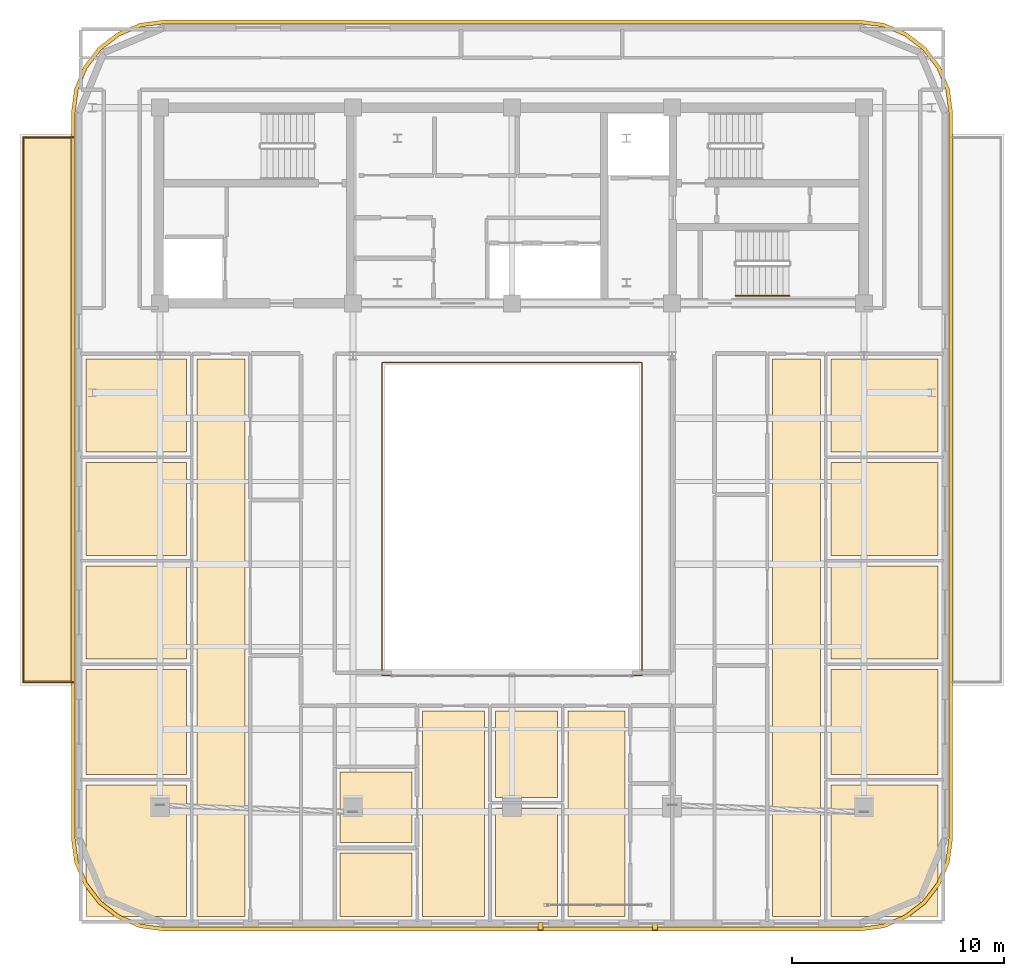
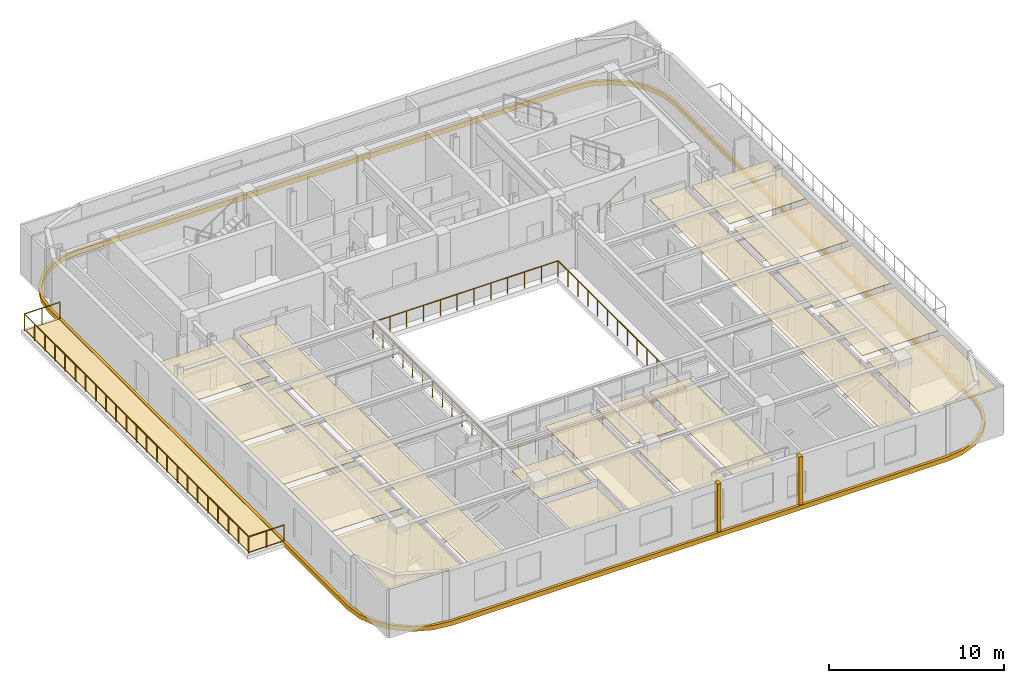
# One storey, part 12 of 14: 22 coverings, 3 railings.
"""IFC4 building model written with IfcOpenShell, lengths in metres."""

from ifc_helpers import new_model, si_unit, direction, frame, origin, origin_2d, place, context, subcontext, project, spatial, polyline, rectangle, outline, extrude, material, layer, layer_set, type_object, element, save


model = new_model("IFC4")

# Units and contexts
model_context = context("Model", 3, precision=1e-05, world=origin(), true_north=direction((0.0, 1.0)))
body_context = subcontext(model_context, "Body", "Model", "MODEL_VIEW")
ifc_project = project(units=[si_unit("LENGTHUNIT", "METRE"), si_unit("AREAUNIT", "SQUARE_METRE"), si_unit("VOLUMEUNIT", "CUBIC_METRE"), si_unit("PLANEANGLEUNIT", "RADIAN"), si_unit("MASSUNIT", "GRAM", prefix="KILO")], contexts=[model_context])

# Site, building, storey
site_placement = place(None, origin())
site = spatial("IfcSite", under=ifc_project, at=site_placement, CompositionType="ELEMENT")
building_placement = place(site_placement, origin())
building = spatial("IfcBuilding", under=site, at=building_placement, Name="Zarnavel Station Tower", CompositionType="ELEMENT")
storey_placement = place(building_placement, frame((0.0, 0.0, 243.60009765625)))
storey = spatial("IfcBuildingStorey", under=building, at=storey_placement, Name="L66", CompositionType="ELEMENT", Elevation=243.60009765625)

# Coverings
ifc_material_1 = material(Name="Perforated Gypsum and Mineral-Wool Acoustic Ceiling", Category="concrete")
ifc_layer_1 = layer(ifc_material_1, 0.0400390625)
ifc_layer_set_1 = layer_set([ifc_layer_1], Name="COV_CEIL_ACOUSTIC")
covering_type_1 = type_object("IfcCoveringType", Name="COV_CEIL_ACOUSTIC", PredefinedType="CEILING", material=ifc_layer_set_1)
covering_1_placement = place(storey_placement, frame((0.0, 0.0, 3.099853515625)))
element("IfcCovering", 1, at=covering_1_placement, inside=storey, type_object=covering_type_1, Name="L66 UW1LV Acoustic Ceiling", PredefinedType="CEILING", context=body_context, shape_type="SweptSolid", body=[
    extrude(outline(polyline([(13.947998046875, -1.090087890625), (16.2099609375, -1.090087890625), (16.2099609375, 25.199951171875), (13.947998046875, 25.199951171875), (13.947998046875, -1.090087890625)])), origin(), (0.0, 0.0, 1.0), 0.0400390625),
])
covering_2_placement = place(storey_placement, frame((0.0, 0.0, 3.099853515625)))
element("IfcCovering", 2, at=covering_2_placement, inside=storey, type_object=covering_type_1, Name="L66 UW1B1 Acoustic Ceiling", PredefinedType="CEILING", context=body_context, shape_type="SweptSolid", body=[
    extrude(outline(polyline([(8.7099609375, -1.090087890625), (13.447998046875, -1.090087890625), (13.447998046875, 5.10693359375), (8.7099609375, 5.10693359375), (8.7099609375, -1.090087890625)])), origin(), (0.0, 0.0, 1.0), 0.0400390625),
])
covering_3_placement = place(storey_placement, frame((0.0, 0.0, 3.099853515625)))
element("IfcCovering", 3, at=covering_3_placement, inside=storey, type_object=covering_type_1, Name="L66 UW1B2 Acoustic Ceiling", PredefinedType="CEILING", context=body_context, shape_type="SweptSolid", body=[
    extrude(outline(polyline([(8.7099609375, 5.60693359375), (13.447998046875, 5.60693359375), (13.447998046875, 10.555908203125), (8.7099609375, 10.555908203125), (8.7099609375, 5.60693359375)])), origin(), (0.0, 0.0, 1.0), 0.0400390625),
])
covering_4_placement = place(storey_placement, frame((0.0, 0.0, 3.099853515625)))
element("IfcCovering", 4, at=covering_4_placement, inside=storey, type_object=covering_type_1, Name="L66 UW1B3 Acoustic Ceiling", PredefinedType="CEILING", context=body_context, shape_type="SweptSolid", body=[
    extrude(outline(polyline([(8.7099609375, 11.055908203125), (13.447998046875, 11.055908203125), (13.447998046875, 15.43701171875), (8.7099609375, 15.43701171875), (8.7099609375, 11.055908203125)])), origin(), (0.0, 0.0, 1.0), 0.0400390625),
])
covering_5_placement = place(storey_placement, frame((0.0, 0.0, 3.099853515625)))
element("IfcCovering", 5, at=covering_5_placement, inside=storey, type_object=covering_type_1, Name="L66 UW1B4 Acoustic Ceiling", PredefinedType="CEILING", context=body_context, shape_type="SweptSolid", body=[
    extrude(outline(polyline([(8.7099609375, 15.93701171875), (13.447998046875, 15.93701171875), (13.447998046875, 20.318115234375), (8.7099609375, 20.318115234375), (8.7099609375, 15.93701171875)])), origin(), (0.0, 0.0, 1.0), 0.0400390625),
])
covering_6_placement = place(storey_placement, frame((0.0, 0.0, 3.099853515625)))
element("IfcCovering", 6, at=covering_6_placement, inside=storey, type_object=covering_type_1, Name="L66 UW1B5 Acoustic Ceiling", PredefinedType="CEILING", context=body_context, shape_type="SweptSolid", body=[
    extrude(outline(polyline([(8.7099609375, 20.818115234375), (13.447998046875, 20.818115234375), (13.447998046875, 25.199951171875), (8.7099609375, 25.199951171875), (8.7099609375, 20.818115234375)])), origin(), (0.0, 0.0, 1.0), 0.0400390625),
])
covering_7_placement = place(storey_placement, frame((0.0, 0.0, 3.099853515625)))
element("IfcCovering", 7, at=covering_7_placement, inside=storey, type_object=covering_type_1, Name="L66 US1ALV Acoustic Ceiling", PredefinedType="CEILING", context=body_context, shape_type="SweptSolid", body=[
    extrude(outline(polyline([(24.575927734375, -1.090087890625), (27.513916015625, -1.090087890625), (27.513916015625, 8.60009765625), (24.575927734375, 8.60009765625), (24.575927734375, -1.090087890625)])), origin(), (0.0, 0.0, 1.0), 0.0400390625),
])
covering_8_placement = place(storey_placement, frame((0.0, 0.0, 3.099853515625)))
element("IfcCovering", 8, at=covering_8_placement, inside=storey, type_object=covering_type_1, Name="L66 US1AB1 Acoustic Ceiling", PredefinedType="CEILING", context=body_context, shape_type="SweptSolid", body=[
    extrude(outline(polyline([(20.699951171875, -1.090087890625), (24.075927734375, -1.090087890625), (24.075927734375, 1.89306640625), (20.699951171875, 1.89306640625), (20.699951171875, -1.090087890625)])), origin(), (0.0, 0.0, 1.0), 0.0400390625),
])
covering_9_placement = place(storey_placement, frame((0.0, 0.0, 3.099853515625)))
element("IfcCovering", 9, at=covering_9_placement, inside=storey, type_object=covering_type_1, Name="L66 US1AKT Acoustic Ceiling", PredefinedType="CEILING", context=body_context, shape_type="SweptSolid", body=[
    extrude(outline(polyline([(20.699951171875, 2.39306640625), (24.075927734375, 2.39306640625), (24.075927734375, 5.716064453125), (20.699951171875, 5.716064453125), (20.699951171875, 2.39306640625)])), origin(), (0.0, 0.0, 1.0), 0.0400390625),
])
covering_10_placement = place(storey_placement, frame((0.0, 0.0, 3.099853515625)))
element("IfcCovering", 10, at=covering_10_placement, inside=storey, type_object=covering_type_1, Name="L66 US1BLV Acoustic Ceiling", PredefinedType="CEILING", context=body_context, shape_type="SweptSolid", body=[
    extrude(outline(polyline([(31.447998046875, -1.090087890625), (34.125, -1.090087890625), (34.125, 8.60009765625), (31.447998046875, 8.60009765625), (31.447998046875, -1.090087890625)])), origin(), (0.0, 0.0, 1.0), 0.0400390625),
])
covering_11_placement = place(storey_placement, frame((0.0, 0.0, 3.099853515625)))
element("IfcCovering", 11, at=covering_11_placement, inside=storey, type_object=covering_type_1, Name="L66 US1BB1 Acoustic Ceiling", PredefinedType="CEILING", context=body_context, shape_type="SweptSolid", body=[
    extrude(outline(polyline([(28.013916015625, -1.090087890625), (30.947998046875, -1.090087890625), (30.947998046875, 4.029052734375), (28.013916015625, 4.029052734375), (28.013916015625, -1.090087890625)])), origin(), (0.0, 0.0, 1.0), 0.0400390625),
])
covering_12_placement = place(storey_placement, frame((0.0, 0.0, 3.099853515625)))
element("IfcCovering", 12, at=covering_12_placement, inside=storey, type_object=covering_type_1, Name="L66 US1BB2 Acoustic Ceiling", PredefinedType="CEILING", context=body_context, shape_type="SweptSolid", body=[
    extrude(outline(polyline([(28.013916015625, 4.529052734375), (30.947998046875, 4.529052734375), (30.947998046875, 8.60009765625), (28.013916015625, 8.60009765625), (28.013916015625, 4.529052734375)])), origin(), (0.0, 0.0, 1.0), 0.0400390625),
])
covering_13_placement = place(storey_placement, frame((0.0, 0.0, 3.099853515625)))
element("IfcCovering", 13, at=covering_13_placement, inside=storey, type_object=covering_type_1, Name="L66 UE1LV Acoustic Ceiling", PredefinedType="CEILING", context=body_context, shape_type="SweptSolid", body=[
    extrude(outline(polyline([(41.08203125, -1.090087890625), (43.343994140625, -1.090087890625), (43.343994140625, 25.199951171875), (41.08203125, 25.199951171875), (41.08203125, -1.090087890625)])), origin(), (0.0, 0.0, 1.0), 0.0400390625),
])
covering_14_placement = place(storey_placement, frame((0.0, 0.0, 3.099853515625)))
element("IfcCovering", 14, at=covering_14_placement, inside=storey, type_object=covering_type_1, Name="L66 UE1B1 Acoustic Ceiling", PredefinedType="CEILING", context=body_context, shape_type="SweptSolid", body=[
    extrude(outline(polyline([(43.843994140625, -1.090087890625), (48.889892578125, -1.090087890625), (48.889892578125, 5.10693359375), (43.843994140625, 5.10693359375), (43.843994140625, -1.090087890625)])), origin(), (0.0, 0.0, 1.0), 0.0400390625),
])
covering_15_placement = place(storey_placement, frame((0.0, 0.0, 3.099853515625)))
element("IfcCovering", 15, at=covering_15_placement, inside=storey, type_object=covering_type_1, Name="L66 UE1B2 Acoustic Ceiling", PredefinedType="CEILING", context=body_context, shape_type="SweptSolid", body=[
    extrude(outline(polyline([(43.843994140625, 5.60693359375), (48.889892578125, 5.60693359375), (48.889892578125, 10.555908203125), (43.843994140625, 10.555908203125), (43.843994140625, 5.60693359375)])), origin(), (0.0, 0.0, 1.0), 0.0400390625),
])
covering_16_placement = place(storey_placement, frame((0.0, 0.0, 3.099853515625)))
element("IfcCovering", 16, at=covering_16_placement, inside=storey, type_object=covering_type_1, Name="L66 UE1B3 Acoustic Ceiling", PredefinedType="CEILING", context=body_context, shape_type="SweptSolid", body=[
    extrude(outline(polyline([(43.843994140625, 11.055908203125), (48.889892578125, 11.055908203125), (48.889892578125, 15.43701171875), (43.843994140625, 15.43701171875), (43.843994140625, 11.055908203125)])), origin(), (0.0, 0.0, 1.0), 0.0400390625),
])
covering_17_placement = place(storey_placement, frame((0.0, 0.0, 3.099853515625)))
element("IfcCovering", 17, at=covering_17_placement, inside=storey, type_object=covering_type_1, Name="L66 UE1B4 Acoustic Ceiling", PredefinedType="CEILING", context=body_context, shape_type="SweptSolid", body=[
    extrude(outline(polyline([(43.843994140625, 15.93701171875), (48.889892578125, 15.93701171875), (48.889892578125, 20.318115234375), (43.843994140625, 20.318115234375), (43.843994140625, 15.93701171875)])), origin(), (0.0, 0.0, 1.0), 0.0400390625),
])
covering_18_placement = place(storey_placement, frame((0.0, 0.0, 3.099853515625)))
element("IfcCovering", 18, at=covering_18_placement, inside=storey, type_object=covering_type_1, Name="L66 UE1B5 Acoustic Ceiling", PredefinedType="CEILING", context=body_context, shape_type="SweptSolid", body=[
    extrude(outline(polyline([(43.843994140625, 20.818115234375), (48.889892578125, 20.818115234375), (48.889892578125, 25.199951171875), (43.843994140625, 25.199951171875), (43.843994140625, 20.818115234375)])), origin(), (0.0, 0.0, 1.0), 0.0400390625),
])
ifc_material_2 = material(Name="Liquid-Applied Elastomeric Terrace Waterproofing Membrane", Category="concrete")
ifc_layer_2 = layer(ifc_material_2, 0.06005859375)
ifc_layer_set_2 = layer_set([ifc_layer_2], Name="COV_TER_MEMBRANE")
covering_type_2 = type_object("IfcCoveringType", Name="COV_TER_MEMBRANE", PredefinedType="ROOFING", material=ifc_layer_set_2)
covering_19_placement = place(storey_placement, origin())
element("IfcCovering", 19, at=covering_19_placement, inside=storey, type_object=covering_type_2, Name="L66 Terrace Paving Waterproofing TER-L66-W", PredefinedType="ROOFING", context=body_context, shape_type="SweptSolid", body=[
    extrude(outline(polyline([(5.800048828125, 10.0), (8.0, 10.0), (8.0, 35.60009765625), (5.800048828125, 35.60009765625), (5.800048828125, 10.0)])), origin(), (0.0, 0.0, 1.0), 0.059814453125),
])
ifc_material_3 = material(Name="Precast concrete C45/55 (Pale Travertine Slab Band)", Category="masonry")
covering_type_3 = type_object("IfcCoveringType", Name="COV_TRAVERTINE_BAND", PredefinedType="CLADDING", material=ifc_material_3)
covering_20_placement = place(storey_placement, frame((0.0, 0.0, -0.260009765625)))
element("IfcCovering", 20, at=covering_20_placement, inside=storey, type_object=covering_type_3, Name="L66 Pale Travertine Slab-Edge Band", PredefinedType="CLADDING", context=body_context, shape_type="SweptSolid", body=[
    extrude(outline(polyline([(45.199951171875, -1.780029296875), (46.33349609375, -1.630859375), (47.389892578125, -1.193115234375), (48.297119140625, -0.4970703125), (48.9931640625, 0.409912109375), (49.430908203125, 1.46630859375), (49.580078125, 2.60009765625), (49.580078125, 36.800048828125), (49.430908203125, 37.93359375), (48.9931640625, 38.989990234375), (48.297119140625, 39.897216796875), (47.389892578125, 40.59326171875), (46.33349609375, 41.03076171875), (45.199951171875, 41.179931640625), (12.39990234375, 41.179931640625), (11.266357421875, 41.03076171875), (10.2099609375, 40.59326171875), (9.302978515625, 39.897216796875), (8.606689453125, 38.989990234375), (8.169189453125, 37.93359375), (8.02001953125, 36.800048828125), (8.02001953125, 2.60009765625), (8.169189453125, 1.46630859375), (8.606689453125, 0.409912109375), (9.302978515625, -0.4970703125), (10.2099609375, -1.193115234375), (11.266357421875, -1.630859375), (12.39990234375, -1.780029296875), (45.199951171875, -1.780029296875)]), holes=[polyline([(45.199951171875, -1.60009765625), (46.287109375, -1.456787109375), (47.300048828125, -1.037353515625), (48.169921875, -0.369873046875), (48.83740234375, 0.5), (49.2568359375, 1.512939453125), (49.39990234375, 2.60009765625), (49.39990234375, 36.800048828125), (49.2568359375, 37.886962890625), (48.83740234375, 38.89990234375), (48.169921875, 39.769775390625), (47.300048828125, 40.437255859375), (46.287109375, 40.85693359375), (45.199951171875, 41.0), (12.39990234375, 41.0), (11.31298828125, 40.85693359375), (10.300048828125, 40.437255859375), (9.43017578125, 39.769775390625), (8.7626953125, 38.89990234375), (8.343017578125, 37.886962890625), (8.199951171875, 36.800048828125), (8.199951171875, 2.60009765625), (8.343017578125, 1.512939453125), (8.7626953125, 0.5), (9.43017578125, -0.369873046875), (10.300048828125, -1.037353515625), (11.31298828125, -1.456787109375), (12.39990234375, -1.60009765625), (45.199951171875, -1.60009765625)])]), origin(), (0.0, 0.0, 1.0), 0.31982421875),
])
for number, where, z_axis, x_axis, name in (
    (21, (30.14990234375, -1.550048828125, 0.0), (0.0, 0.0, 1.0), (1.0, 0.0, 0.0), "L66 Travertine Portal Loggia Vertical Jog West"),
    (22, (35.550048828125, -1.550048828125, 0.0), (0.0, 0.0, 1.0), (1.0, 0.0, 0.0), "L66 Travertine Portal Loggia Vertical Jog East"),
):
    element("IfcCovering", number, at=place(storey_placement, frame(where, z_axis=z_axis, x_axis=x_axis)), inside=storey, type_object=covering_type_3, Name=name, PredefinedType="CLADDING", context=body_context, shape_type="SweptSolid", body=[
        extrude(rectangle(XDim=0.239990234375, YDim=0.360107421875, at=origin_2d()), origin(), (0.0, 0.0, 1.0), 3.419921875),
    ])

# Railings
ifc_material_4 = material(Name="Black Coated Galvanised Steel S355J2 and Laminated Glass", Category="steel")
railing_type_1 = type_object("IfcRailingType", Name="GR_EXT_1200", PredefinedType="GUARDRAIL", material=ifc_material_4)
railing_1_placement = place(storey_placement, frame((8.10009765625, 9.949951171875, 0.0)))
element("IfcRailing", 23, at=railing_1_placement, inside=storey, type_object=railing_type_1, Name="L66 Terrace Perimeter Guard TER-L66-W", PredefinedType="GUARDRAIL", context=body_context, shape_type="SweptSolid", body=[
    extrude(rectangle(XDim=0.048095703125, YDim=0.048095703125, at=origin_2d()), frame((-0.001953125, 0.0, 1.17578125), z_axis=(-1.0, 0.0, 0.0), x_axis=(0.0, -1.0, 0.0)), (0.0, 0.0, 1.0), 2.34619140625),
    extrude(rectangle(XDim=0.048095703125, YDim=0.048095703125, at=origin_2d()), frame((-2.35009765625, 0.001953125, 1.17578125), z_axis=(0.0, 1.0, 0.0), x_axis=(-1.0, 0.0, 0.0)), (0.0, 0.0, 1.0), 25.696044921875),
    extrude(rectangle(XDim=0.048095703125, YDim=0.048095703125, at=origin_2d()), frame((-2.34814453125, 25.699951171875, 1.17578125), z_axis=(1.0, 0.0, 0.0), x_axis=(0.0, 1.0, 0.0)), (0.0, 0.0, 1.0), 2.34619140625),
    extrude(rectangle(XDim=0.0419921875, YDim=0.0419921875, at=origin_2d()), origin(), (0.0, 0.0, 1.0), 1.15185546875),
    extrude(rectangle(XDim=0.0419921875, YDim=0.0419921875, at=origin_2d()), frame((-1.175048828125, 0.0, 0.0)), (0.0, 0.0, 1.0), 1.15185546875),
    extrude(rectangle(XDim=0.0419921875, YDim=0.0419921875, at=origin_2d()), frame((-2.35009765625, 0.0, 0.0)), (0.0, 0.0, 1.0), 1.15185546875),
    extrude(rectangle(XDim=0.0419921875, YDim=0.0419921875, at=origin_2d()), frame((-2.35009765625, 1.168212890625, 0.0)), (0.0, 0.0, 1.0), 1.15185546875),
    extrude(rectangle(XDim=0.0419921875, YDim=0.0419921875, at=origin_2d()), frame((-2.35009765625, 2.33642578125, 0.0)), (0.0, 0.0, 1.0), 1.15185546875),
    extrude(rectangle(XDim=0.0419921875, YDim=0.0419921875, at=origin_2d()), frame((-2.35009765625, 3.504638671875, 0.0)), (0.0, 0.0, 1.0), 1.15185546875),
    extrude(rectangle(XDim=0.0419921875, YDim=0.0419921875, at=origin_2d()), frame((-2.35009765625, 4.672607421875, 0.0)), (0.0, 0.0, 1.0), 1.15185546875),
    extrude(rectangle(XDim=0.0419921875, YDim=0.0419921875, at=origin_2d()), frame((-2.35009765625, 5.8408203125, 0.0)), (0.0, 0.0, 1.0), 1.15185546875),
    extrude(rectangle(XDim=0.0419921875, YDim=0.0419921875, at=origin_2d()), frame((-2.35009765625, 7.009033203125, 0.0)), (0.0, 0.0, 1.0), 1.15185546875),
    extrude(rectangle(XDim=0.0419921875, YDim=0.0419921875, at=origin_2d()), frame((-2.35009765625, 8.17724609375, 0.0)), (0.0, 0.0, 1.0), 1.15185546875),
    extrude(rectangle(XDim=0.0419921875, YDim=0.0419921875, at=origin_2d()), frame((-2.35009765625, 9.345458984375, 0.0)), (0.0, 0.0, 1.0), 1.15185546875),
    extrude(rectangle(XDim=0.0419921875, YDim=0.0419921875, at=origin_2d()), frame((-2.35009765625, 10.513671875, 0.0)), (0.0, 0.0, 1.0), 1.15185546875),
    extrude(rectangle(XDim=0.0419921875, YDim=0.0419921875, at=origin_2d()), frame((-2.35009765625, 11.681884765625, 0.0)), (0.0, 0.0, 1.0), 1.15185546875),
    extrude(rectangle(XDim=0.0419921875, YDim=0.0419921875, at=origin_2d()), frame((-2.35009765625, 12.85009765625, 0.0)), (0.0, 0.0, 1.0), 1.15185546875),
    extrude(rectangle(XDim=0.0419921875, YDim=0.0419921875, at=origin_2d()), frame((-2.35009765625, 14.01806640625, 0.0)), (0.0, 0.0, 1.0), 1.15185546875),
    extrude(rectangle(XDim=0.0419921875, YDim=0.0419921875, at=origin_2d()), frame((-2.35009765625, 15.186279296875, 0.0)), (0.0, 0.0, 1.0), 1.15185546875),
    extrude(rectangle(XDim=0.0419921875, YDim=0.0419921875, at=origin_2d()), frame((-2.35009765625, 16.3544921875, 0.0)), (0.0, 0.0, 1.0), 1.15185546875),
    extrude(rectangle(XDim=0.0419921875, YDim=0.0419921875, at=origin_2d()), frame((-2.35009765625, 17.522705078125, 0.0)), (0.0, 0.0, 1.0), 1.15185546875),
    extrude(rectangle(XDim=0.0419921875, YDim=0.0419921875, at=origin_2d()), frame((-2.35009765625, 18.69091796875, 0.0)), (0.0, 0.0, 1.0), 1.15185546875),
    extrude(rectangle(XDim=0.0419921875, YDim=0.0419921875, at=origin_2d()), frame((-2.35009765625, 19.859130859375, 0.0)), (0.0, 0.0, 1.0), 1.15185546875),
    extrude(rectangle(XDim=0.0419921875, YDim=0.0419921875, at=origin_2d()), frame((-2.35009765625, 21.02734375, 0.0)), (0.0, 0.0, 1.0), 1.15185546875),
    extrude(rectangle(XDim=0.0419921875, YDim=0.0419921875, at=origin_2d()), frame((-2.35009765625, 22.1953125, 0.0)), (0.0, 0.0, 1.0), 1.15185546875),
    extrude(rectangle(XDim=0.0419921875, YDim=0.0419921875, at=origin_2d()), frame((-2.35009765625, 23.363525390625, 0.0)), (0.0, 0.0, 1.0), 1.15185546875),
    extrude(rectangle(XDim=0.0419921875, YDim=0.0419921875, at=origin_2d()), frame((-2.35009765625, 24.53173828125, 0.0)), (0.0, 0.0, 1.0), 1.15185546875),
    extrude(rectangle(XDim=0.0419921875, YDim=0.0419921875, at=origin_2d()), frame((-2.35009765625, 25.699951171875, 0.0)), (0.0, 0.0, 1.0), 1.15185546875),
    extrude(rectangle(XDim=0.0419921875, YDim=0.0419921875, at=origin_2d()), frame((-1.175048828125, 25.699951171875, 0.0)), (0.0, 0.0, 1.0), 1.15185546875),
    extrude(rectangle(XDim=0.0419921875, YDim=0.0419921875, at=origin_2d()), frame((0.0, 25.699951171875, 0.0)), (0.0, 0.0, 1.0), 1.15185546875),
])
ifc_material_5 = material(Name="Painted Steel S355J2 Balustrade", Category="steel")
railing_type_2 = type_object("IfcRailingType", Name="GR_INT_1150", PredefinedType="GUARDRAIL", material=ifc_material_5)
railing_2_placement = place(storey_placement, frame((22.679931640625, 10.280029296875, 0.0)))
element("IfcRailing", 24, at=railing_2_placement, inside=storey, type_object=railing_type_2, Name="L66 Atrium Void Guardrail", PredefinedType="GUARDRAIL", context=body_context, shape_type="SweptSolid", body=[
    extrude(rectangle(XDim=0.048095703125, YDim=0.048095703125, at=origin_2d()), frame((0.001953125, 0.0, 1.1259765625), z_axis=(1.0, 0.0, 0.0), x_axis=(0.0, 1.0, 0.0)), (0.0, 0.0, 1.0), 12.236083984375),
    extrude(rectangle(XDim=0.048095703125, YDim=0.048095703125, at=origin_2d()), frame((12.239990234375, 0.001953125, 1.1259765625), z_axis=(0.0, 1.0, 0.0), x_axis=(-1.0, 0.0, 0.0)), (0.0, 0.0, 1.0), 14.736083984375),
    extrude(rectangle(XDim=0.048095703125, YDim=0.048095703125, at=origin_2d()), frame((12.238037109375, 14.739990234375, 1.1259765625), z_axis=(-1.0, 0.0, 0.0), x_axis=(0.0, -1.0, 0.0)), (0.0, 0.0, 1.0), 12.236083984375),
    extrude(rectangle(XDim=0.048095703125, YDim=0.048095703125, at=origin_2d()), frame((0.0, 14.738037109375, 1.1259765625), z_axis=(0.0, -1.0, 0.0), x_axis=(1.0, 0.0, 0.0)), (0.0, 0.0, 1.0), 14.736083984375),
    extrude(rectangle(XDim=0.0419921875, YDim=0.0419921875, at=origin_2d()), origin(), (0.0, 0.0, 1.0), 1.101806640625),
    extrude(rectangle(XDim=0.0419921875, YDim=0.0419921875, at=origin_2d()), frame((1.11279296875, 0.0, 0.0)), (0.0, 0.0, 1.0), 1.101806640625),
    extrude(rectangle(XDim=0.0419921875, YDim=0.0419921875, at=origin_2d()), frame((2.225341796875, 0.0, 0.0)), (0.0, 0.0, 1.0), 1.101806640625),
    extrude(rectangle(XDim=0.0419921875, YDim=0.0419921875, at=origin_2d()), frame((3.338134765625, 0.0, 0.0)), (0.0, 0.0, 1.0), 1.101806640625),
    extrude(rectangle(XDim=0.0419921875, YDim=0.0419921875, at=origin_2d()), frame((4.450927734375, 0.0, 0.0)), (0.0, 0.0, 1.0), 1.101806640625),
    extrude(rectangle(XDim=0.0419921875, YDim=0.0419921875, at=origin_2d()), frame((5.563720703125, 0.0, 0.0)), (0.0, 0.0, 1.0), 1.101806640625),
    extrude(rectangle(XDim=0.0419921875, YDim=0.0419921875, at=origin_2d()), frame((6.67626953125, 0.0, 0.0)), (0.0, 0.0, 1.0), 1.101806640625),
    extrude(rectangle(XDim=0.0419921875, YDim=0.0419921875, at=origin_2d()), frame((7.7890625, 0.0, 0.0)), (0.0, 0.0, 1.0), 1.101806640625),
    extrude(rectangle(XDim=0.0419921875, YDim=0.0419921875, at=origin_2d()), frame((8.90185546875, 0.0, 0.0)), (0.0, 0.0, 1.0), 1.101806640625),
    extrude(rectangle(XDim=0.0419921875, YDim=0.0419921875, at=origin_2d()), frame((10.0146484375, 0.0, 0.0)), (0.0, 0.0, 1.0), 1.101806640625),
    extrude(rectangle(XDim=0.0419921875, YDim=0.0419921875, at=origin_2d()), frame((11.127197265625, 0.0, 0.0)), (0.0, 0.0, 1.0), 1.101806640625),
    extrude(rectangle(XDim=0.0419921875, YDim=0.0419921875, at=origin_2d()), frame((12.239990234375, 0.0, 0.0)), (0.0, 0.0, 1.0), 1.101806640625),
    extrude(rectangle(XDim=0.0419921875, YDim=0.0419921875, at=origin_2d()), frame((12.239990234375, 1.1337890625, 0.0)), (0.0, 0.0, 1.0), 1.101806640625),
    extrude(rectangle(XDim=0.0419921875, YDim=0.0419921875, at=origin_2d()), frame((12.239990234375, 2.267578125, 0.0)), (0.0, 0.0, 1.0), 1.101806640625),
    extrude(rectangle(XDim=0.0419921875, YDim=0.0419921875, at=origin_2d()), frame((12.239990234375, 3.401611328125, 0.0)), (0.0, 0.0, 1.0), 1.101806640625),
    extrude(rectangle(XDim=0.0419921875, YDim=0.0419921875, at=origin_2d()), frame((12.239990234375, 4.535400390625, 0.0)), (0.0, 0.0, 1.0), 1.101806640625),
    extrude(rectangle(XDim=0.0419921875, YDim=0.0419921875, at=origin_2d()), frame((12.239990234375, 5.669189453125, 0.0)), (0.0, 0.0, 1.0), 1.101806640625),
    extrude(rectangle(XDim=0.0419921875, YDim=0.0419921875, at=origin_2d()), frame((12.239990234375, 6.802978515625, 0.0)), (0.0, 0.0, 1.0), 1.101806640625),
    extrude(rectangle(XDim=0.0419921875, YDim=0.0419921875, at=origin_2d()), frame((12.239990234375, 7.93701171875, 0.0)), (0.0, 0.0, 1.0), 1.101806640625),
    extrude(rectangle(XDim=0.0419921875, YDim=0.0419921875, at=origin_2d()), frame((12.239990234375, 9.07080078125, 0.0)), (0.0, 0.0, 1.0), 1.101806640625),
    extrude(rectangle(XDim=0.0419921875, YDim=0.0419921875, at=origin_2d()), frame((12.239990234375, 10.20458984375, 0.0)), (0.0, 0.0, 1.0), 1.101806640625),
    extrude(rectangle(XDim=0.0419921875, YDim=0.0419921875, at=origin_2d()), frame((12.239990234375, 11.33837890625, 0.0)), (0.0, 0.0, 1.0), 1.101806640625),
    extrude(rectangle(XDim=0.0419921875, YDim=0.0419921875, at=origin_2d()), frame((12.239990234375, 12.472412109375, 0.0)), (0.0, 0.0, 1.0), 1.101806640625),
    extrude(rectangle(XDim=0.0419921875, YDim=0.0419921875, at=origin_2d()), frame((12.239990234375, 13.606201171875, 0.0)), (0.0, 0.0, 1.0), 1.101806640625),
    extrude(rectangle(XDim=0.0419921875, YDim=0.0419921875, at=origin_2d()), frame((12.239990234375, 14.739990234375, 0.0)), (0.0, 0.0, 1.0), 1.101806640625),
    extrude(rectangle(XDim=0.0419921875, YDim=0.0419921875, at=origin_2d()), frame((11.127197265625, 14.739990234375, 0.0)), (0.0, 0.0, 1.0), 1.101806640625),
    extrude(rectangle(XDim=0.0419921875, YDim=0.0419921875, at=origin_2d()), frame((10.0146484375, 14.739990234375, 0.0)), (0.0, 0.0, 1.0), 1.101806640625),
    extrude(rectangle(XDim=0.0419921875, YDim=0.0419921875, at=origin_2d()), frame((8.90185546875, 14.739990234375, 0.0)), (0.0, 0.0, 1.0), 1.101806640625),
    extrude(rectangle(XDim=0.0419921875, YDim=0.0419921875, at=origin_2d()), frame((7.7890625, 14.739990234375, 0.0)), (0.0, 0.0, 1.0), 1.101806640625),
    extrude(rectangle(XDim=0.0419921875, YDim=0.0419921875, at=origin_2d()), frame((6.67626953125, 14.739990234375, 0.0)), (0.0, 0.0, 1.0), 1.101806640625),
    extrude(rectangle(XDim=0.0419921875, YDim=0.0419921875, at=origin_2d()), frame((5.563720703125, 14.739990234375, 0.0)), (0.0, 0.0, 1.0), 1.101806640625),
    extrude(rectangle(XDim=0.0419921875, YDim=0.0419921875, at=origin_2d()), frame((4.450927734375, 14.739990234375, 0.0)), (0.0, 0.0, 1.0), 1.101806640625),
    extrude(rectangle(XDim=0.0419921875, YDim=0.0419921875, at=origin_2d()), frame((3.338134765625, 14.739990234375, 0.0)), (0.0, 0.0, 1.0), 1.101806640625),
    extrude(rectangle(XDim=0.0419921875, YDim=0.0419921875, at=origin_2d()), frame((2.225341796875, 14.739990234375, 0.0)), (0.0, 0.0, 1.0), 1.101806640625),
    extrude(rectangle(XDim=0.0419921875, YDim=0.0419921875, at=origin_2d()), frame((1.11279296875, 14.739990234375, 0.0)), (0.0, 0.0, 1.0), 1.101806640625),
    extrude(rectangle(XDim=0.0419921875, YDim=0.0419921875, at=origin_2d()), frame((0.0, 14.739990234375, 0.0)), (0.0, 0.0, 1.0), 1.101806640625),
    extrude(rectangle(XDim=0.0419921875, YDim=0.0419921875, at=origin_2d()), frame((0.0, 13.606201171875, 0.0)), (0.0, 0.0, 1.0), 1.101806640625),
    extrude(rectangle(XDim=0.0419921875, YDim=0.0419921875, at=origin_2d()), frame((0.0, 12.472412109375, 0.0)), (0.0, 0.0, 1.0), 1.101806640625),
    extrude(rectangle(XDim=0.0419921875, YDim=0.0419921875, at=origin_2d()), frame((0.0, 11.33837890625, 0.0)), (0.0, 0.0, 1.0), 1.101806640625),
    extrude(rectangle(XDim=0.0419921875, YDim=0.0419921875, at=origin_2d()), frame((0.0, 10.20458984375, 0.0)), (0.0, 0.0, 1.0), 1.101806640625),
    extrude(rectangle(XDim=0.0419921875, YDim=0.0419921875, at=origin_2d()), frame((0.0, 9.07080078125, 0.0)), (0.0, 0.0, 1.0), 1.101806640625),
    extrude(rectangle(XDim=0.0419921875, YDim=0.0419921875, at=origin_2d()), frame((0.0, 7.93701171875, 0.0)), (0.0, 0.0, 1.0), 1.101806640625),
    extrude(rectangle(XDim=0.0419921875, YDim=0.0419921875, at=origin_2d()), frame((0.0, 6.802978515625, 0.0)), (0.0, 0.0, 1.0), 1.101806640625),
    extrude(rectangle(XDim=0.0419921875, YDim=0.0419921875, at=origin_2d()), frame((0.0, 5.669189453125, 0.0)), (0.0, 0.0, 1.0), 1.101806640625),
    extrude(rectangle(XDim=0.0419921875, YDim=0.0419921875, at=origin_2d()), frame((0.0, 4.535400390625, 0.0)), (0.0, 0.0, 1.0), 1.101806640625),
    extrude(rectangle(XDim=0.0419921875, YDim=0.0419921875, at=origin_2d()), frame((0.0, 3.401611328125, 0.0)), (0.0, 0.0, 1.0), 1.101806640625),
    extrude(rectangle(XDim=0.0419921875, YDim=0.0419921875, at=origin_2d()), frame((0.0, 2.267578125, 0.0)), (0.0, 0.0, 1.0), 1.101806640625),
    extrude(rectangle(XDim=0.0419921875, YDim=0.0419921875, at=origin_2d()), frame((0.0, 1.1337890625, 0.0)), (0.0, 0.0, 1.0), 1.101806640625),
])
ifc_material_6 = material(Name="Brushed Stainless Steel S355J2 Handrail", Category="steel")
railing_type_3 = type_object("IfcRailingType", Name="HR_STAIR_900", PredefinedType="HANDRAIL", material=ifc_material_6)
railing_3_placement = place(storey_placement, frame((39.35009765625, 28.169921875, 0.184814453125)))
element("IfcRailing", 25, at=railing_3_placement, inside=storey, type_object=railing_type_3, Name="L66 ST3 stair handrail 1", PredefinedType="HANDRAIL", context=body_context, shape_type="SweptSolid", body=[
    extrude(rectangle(XDim=0.048095703125, YDim=0.048095703125, at=origin_2d()), frame((0.001708984375, 0.0, 0.876953125), z_axis=(0.834331337432, 0.0, 0.55126329406), x_axis=(0.0, 1.0, 0.0)), (0.0, 0.0, 1.0), 3.016357421875),
    extrude(rectangle(XDim=0.0419921875, YDim=0.0419921875, at=origin_2d()), origin(), (0.0, 0.0, 1.0), 0.851806640625),
    extrude(rectangle(XDim=0.0419921875, YDim=0.0419921875, at=origin_2d()), frame((0.840087890625, 0.0, 0.554931640625)), (0.0, 0.0, 1.0), 0.851806640625),
    extrude(rectangle(XDim=0.0419921875, YDim=0.0419921875, at=origin_2d()), frame((1.679931640625, 0.0, 1.110107421875)), (0.0, 0.0, 1.0), 0.851806640625),
    extrude(rectangle(XDim=0.0419921875, YDim=0.0419921875, at=origin_2d()), frame((2.52001953125, 0.0, 1.6650390625)), (0.0, 0.0, 1.0), 0.851806640625),
])

save(model, "model.ifc")
